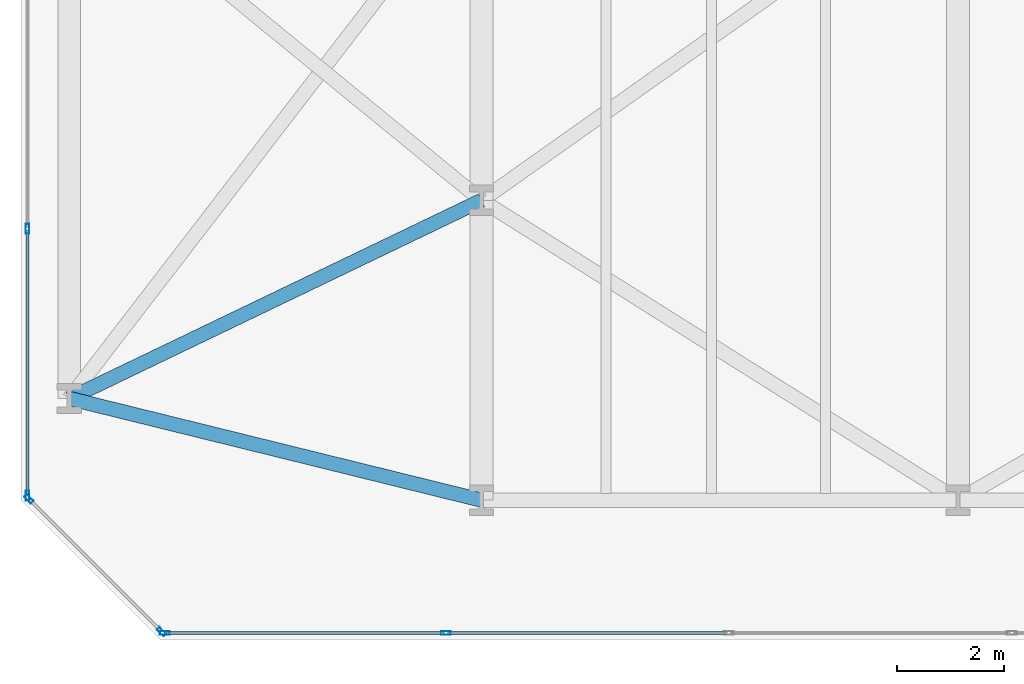
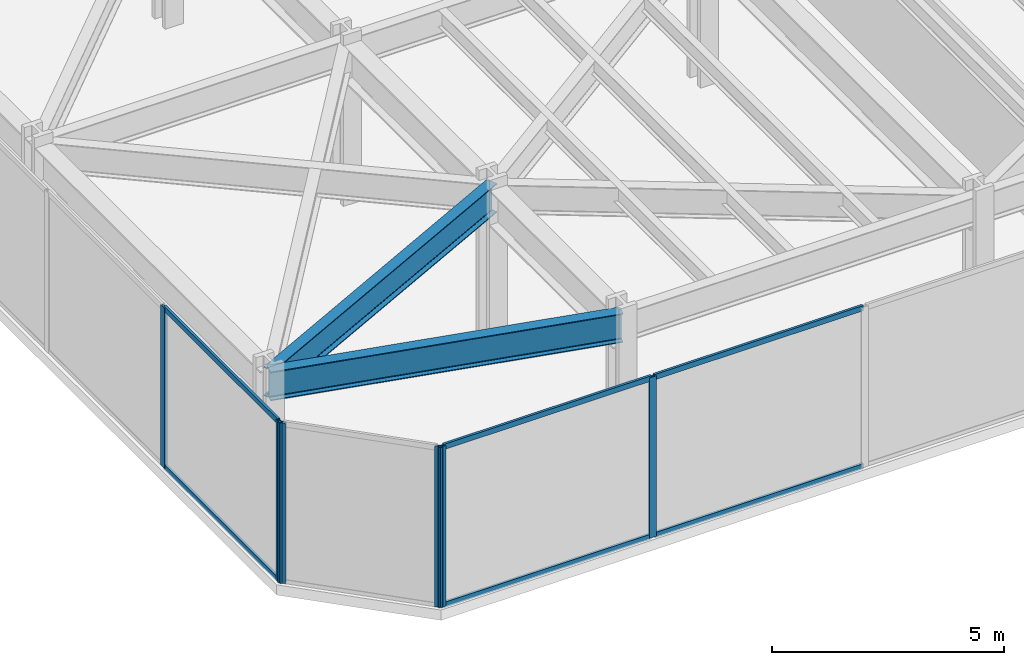
# One storey, part 2 of 28: 12 members, 2 beams, 3 elements without a shape of their own.
"""IFC4 building model written with IfcOpenShell, lengths in metres."""

from ifc_helpers import new_model, si_unit, direction, frame, origin, origin_2d, place, context, subcontext, project, spatial, hollow_rectangle, i_section, extrude, material, layer, layer_set, material_profile, profile_set, type_object, element, aggregate, save


model = new_model("IFC4")

# Units and contexts
model_context = context("Model", 3, precision=1e-05, world=origin(), true_north=direction((0.0, 1.0)))
body_context = subcontext(model_context, "Body", "Model", "MODEL_VIEW")
ifc_project = project(units=[si_unit("LENGTHUNIT", "METRE"), si_unit("AREAUNIT", "SQUARE_METRE"), si_unit("VOLUMEUNIT", "CUBIC_METRE"), si_unit("PLANEANGLEUNIT", "RADIAN"), si_unit("MASSUNIT", "GRAM", prefix="KILO")], contexts=[model_context])

# Site, building, storey
site_placement = place(None, origin())
site = spatial("IfcSite", under=ifc_project, at=site_placement, CompositionType="ELEMENT")
building_placement = place(site_placement, origin())
building = spatial("IfcBuilding", under=site, at=building_placement, Name="Kravanh Interchange Tower", CompositionType="ELEMENT")
storey_placement = place(building_placement, frame((0.0, 0.0, 15.300048828125)))
storey = spatial("IfcBuildingStorey", under=building, at=storey_placement, Name="L03", CompositionType="ELEMENT", Elevation=15.300048828125)

# Curtain wall, members
ifc_material_1 = material(Name="Anodised Bronze Aluminium", Category="aluminium")
ifc_layer = layer(ifc_material_1, 0.179931640625)
ifc_layer_set = layer_set([ifc_layer], Name="Unitised Curtain Wall System CW-POD Podium Concourse")
curtain_wall_type = type_object("IfcCurtainWallType", Name="Unitised Curtain Wall System CW-POD Podium Concourse", PredefinedType="NOTDEFINED", material=ifc_layer_set)
curtain_wall_1_placement = place(storey_placement, origin())
curtain_wall_1 = element("IfcCurtainWall", 1, at=curtain_wall_1_placement, inside=storey, type_object=curtain_wall_type, Name="L03 Unitised Curtain Wall CW-L03-01", PredefinedType="NOTDEFINED")
ifc_material_2 = material(Name="Anodised Bronze Aluminium", Category="aluminium")
ifc_material_profile_1 = material_profile(ifc_material_2, hollow_rectangle(XDim=0.070068359375, YDim=0.179931640625, WallThickness=0.00390625, at=origin_2d()), Name="ALU70X180X4")
ifc_profile_set_1 = profile_set([ifc_material_profile_1], Name="Anodised Bronze Aluminium")
member_type_1 = type_object("IfcMemberType", Name="Curtain Wall Mullion ALU70X180X4 Bronze", PredefinedType="MULLION", material=ifc_profile_set_1)
member_1_placement = place(storey_placement, frame((0.1201171875, 2.684814453125, 0.0), z_axis=(0.0, 0.0, 1.0), x_axis=(-1.0, 0.0, 0.0)))
member_1 = element("IfcMember", 2, at=member_1_placement, type_object=member_type_1, Name="CW-POD mullion 1", PredefinedType="MULLION", context=body_context, shape_type="SweptSolid", body=[
    extrude(hollow_rectangle(XDim=0.070068359375, YDim=0.179931640625, WallThickness=0.00390625, at=origin_2d()), origin(), (0.0, 0.0, 1.0), 4.22998046875),
])
member_2_placement = place(storey_placement, frame((0.1201171875, 7.671142578125, 0.0), z_axis=(0.0, 0.0, 1.0), x_axis=(-1.0, 0.0, 0.0)))
member_2 = element("IfcMember", 3, at=member_2_placement, type_object=member_type_1, Name="CW-POD mullion 2", PredefinedType="MULLION", context=body_context, shape_type="SweptSolid", body=[
    extrude(hollow_rectangle(XDim=0.070068359375, YDim=0.179931640625, WallThickness=0.00390625, at=origin_2d()), origin(), (0.0, 0.0, 1.0), 4.22998046875),
])

curtain_wall_2_placement = place(storey_placement, origin())
curtain_wall_2 = element("IfcCurtainWall", 4, at=curtain_wall_2_placement, inside=storey, type_object=curtain_wall_type, Name="L03 Unitised Curtain Wall CW-L03-04", PredefinedType="NOTDEFINED")
member_3_placement = place(storey_placement, frame((7.934326171875, 0.1201171875, 0.0), z_axis=(0.0, 0.0, 1.0), x_axis=(0.0, -1.0, 0.0)))
member_3 = element("IfcMember", 5, at=member_3_placement, type_object=member_type_1, Name="CW-POD mullion 13", PredefinedType="MULLION", context=body_context, shape_type="SweptSolid", body=[
    extrude(hollow_rectangle(XDim=0.070068359375, YDim=0.179931640625, WallThickness=0.00390625, at=origin_2d()), origin(), (0.0, 0.0, 1.0), 4.22998046875),
])
member_4_placement = place(storey_placement, frame((2.684814453125, 0.1201171875, 0.0), z_axis=(0.0, 0.0, 1.0), x_axis=(0.0, -1.0, 0.0)))
member_4 = element("IfcMember", 6, at=member_4_placement, type_object=member_type_1, Name="CW-POD mullion 14", PredefinedType="MULLION", context=body_context, shape_type="SweptSolid", body=[
    extrude(hollow_rectangle(XDim=0.070068359375, YDim=0.179931640625, WallThickness=0.00390625, at=origin_2d()), origin(), (0.0, 0.0, 1.0), 4.22998046875),
])

curtain_wall_3_placement = place(storey_placement, origin())
curtain_wall_3 = element("IfcCurtainWall", 7, at=curtain_wall_3_placement, inside=storey, type_object=curtain_wall_type, Name="L03 Unitised Curtain Wall CW-L03-05", PredefinedType="NOTDEFINED")
member_5_placement = place(storey_placement, frame((2.625, 0.144775390625, 0.0), z_axis=(0.0, 0.0, 1.0), x_axis=(-0.707106781187, -0.707106781187, 0.0)))
member_5 = element("IfcMember", 8, at=member_5_placement, type_object=member_type_1, Name="CW-POD mullion 1", PredefinedType="MULLION", context=body_context, shape_type="SweptSolid", body=[
    extrude(hollow_rectangle(XDim=0.070068359375, YDim=0.179931640625, WallThickness=0.00390625, at=origin_2d()), origin(), (0.0, 0.0, 1.0), 4.22998046875),
])
member_6_placement = place(storey_placement, frame((0.144775390625, 2.625, 0.0), z_axis=(0.0, 0.0, 1.0), x_axis=(-0.707106781187, -0.707106781187, 0.0)))
member_6 = element("IfcMember", 9, at=member_6_placement, type_object=member_type_1, Name="CW-POD mullion 2", PredefinedType="MULLION", context=body_context, shape_type="SweptSolid", body=[
    extrude(hollow_rectangle(XDim=0.070068359375, YDim=0.179931640625, WallThickness=0.00390625, at=origin_2d()), origin(), (0.0, 0.0, 1.0), 4.22998046875),
])
aggregate(curtain_wall_3, [member_5, member_6])

# Member
ifc_material_3 = material(Name="Anodised Bronze Aluminium", Category="aluminium")
ifc_material_profile_2 = material_profile(ifc_material_3, hollow_rectangle(XDim=0.06005859375, YDim=0.139892578125, WallThickness=0.00390625, at=origin_2d()), Name="ALU60X140X4")
ifc_profile_set_2 = profile_set([ifc_material_profile_2], Name="Anodised Bronze Aluminium")
member_type_2 = type_object("IfcMemberType", Name="Curtain Wall Transom ALU60X140X4 Bronze", PredefinedType="USERDEFINED", material=ifc_profile_set_2)
member_7_placement = place(storey_placement, frame((0.1201171875, 2.7197265625, 0.030029296875), z_axis=(0.0, 1.0, 0.0), x_axis=(-1.0, 0.0, 0.0)))
member_7 = element("IfcMember", 10, at=member_7_placement, type_object=member_type_2, Name="CW-POD transom 1.1", ObjectType="TRANSOM", PredefinedType="USERDEFINED", context=body_context, shape_type="SweptSolid", body=[
    extrude(hollow_rectangle(XDim=0.06005859375, YDim=0.139892578125, WallThickness=0.00390625, at=origin_2d()), origin(), (0.0, 0.0, 1.0), 4.91650390625),
])

member_8_placement = place(storey_placement, frame((0.1201171875, 2.7197265625, 4.199951171875), z_axis=(0.0, 1.0, 0.0), x_axis=(-1.0, 0.0, 0.0)))
member_8 = element("IfcMember", 11, at=member_8_placement, type_object=member_type_2, Name="CW-POD transom 1.2", ObjectType="TRANSOM", PredefinedType="USERDEFINED", context=body_context, shape_type="SweptSolid", body=[
    extrude(hollow_rectangle(XDim=0.06005859375, YDim=0.139892578125, WallThickness=0.00390625, at=origin_2d()), origin(), (0.0, 0.0, 1.0), 4.91650390625),
])

aggregate(curtain_wall_1, [member_1, member_2, member_7, member_8])

member_9_placement = place(storey_placement, frame((13.18408203125, 0.1201171875, 0.030029296875), z_axis=(-1.0, 0.0, 0.0), x_axis=(0.0, -1.0, 0.0)))
member_9 = element("IfcMember", 12, at=member_9_placement, type_object=member_type_2, Name="CW-POD transom 12.1", ObjectType="TRANSOM", PredefinedType="USERDEFINED", context=body_context, shape_type="SweptSolid", body=[
    extrude(hollow_rectangle(XDim=0.06005859375, YDim=0.139892578125, WallThickness=0.00390625, at=origin_2d()), origin(), (0.0, 0.0, 1.0), 5.214599609375),
])

member_10_placement = place(storey_placement, frame((13.18408203125, 0.1201171875, 4.199951171875), z_axis=(-1.0, 0.0, 0.0), x_axis=(0.0, -1.0, 0.0)))
member_10 = element("IfcMember", 13, at=member_10_placement, type_object=member_type_2, Name="CW-POD transom 12.2", ObjectType="TRANSOM", PredefinedType="USERDEFINED", context=body_context, shape_type="SweptSolid", body=[
    extrude(hollow_rectangle(XDim=0.06005859375, YDim=0.139892578125, WallThickness=0.00390625, at=origin_2d()), origin(), (0.0, 0.0, 1.0), 5.214599609375),
])

member_11_placement = place(storey_placement, frame((7.8994140625, 0.1201171875, 0.030029296875), z_axis=(-1.0, 0.0, 0.0), x_axis=(0.0, -1.0, 0.0)))
member_11 = element("IfcMember", 14, at=member_11_placement, type_object=member_type_2, Name="CW-POD transom 13.1", ObjectType="TRANSOM", PredefinedType="USERDEFINED", context=body_context, shape_type="SweptSolid", body=[
    extrude(hollow_rectangle(XDim=0.06005859375, YDim=0.139892578125, WallThickness=0.00390625, at=origin_2d()), origin(), (0.0, 0.0, 1.0), 5.1796875),
])

member_12_placement = place(storey_placement, frame((7.8994140625, 0.1201171875, 4.199951171875), z_axis=(-1.0, 0.0, 0.0), x_axis=(0.0, -1.0, 0.0)))
member_12 = element("IfcMember", 15, at=member_12_placement, type_object=member_type_2, Name="CW-POD transom 13.2", ObjectType="TRANSOM", PredefinedType="USERDEFINED", context=body_context, shape_type="SweptSolid", body=[
    extrude(hollow_rectangle(XDim=0.06005859375, YDim=0.139892578125, WallThickness=0.00390625, at=origin_2d()), origin(), (0.0, 0.0, 1.0), 5.1796875),
])

aggregate(curtain_wall_2, [member_3, member_4, member_9, member_10, member_11, member_12])

# Beams
ifc_material_4 = material(Name="Structural Steel S355", Category="steel")
ifc_material_profile_3 = material_profile(ifc_material_4, i_section(OverallWidth=0.26708984375, OverallDepth=0.761962890625, WebThickness=0.014404296875, FlangeThickness=0.021484375, FilletRadius=0.02490234375, at=origin_2d()), Name="W30X116")
ifc_profile_set_3 = profile_set([ifc_material_profile_3], Name="Structural Steel S355")
beam_type = type_object("IfcBeamType", Name="Floor Spandrel W30X116 Structural Steel S355", PredefinedType="SPANDREL", material=ifc_profile_set_3)
beam_1_placement = place(storey_placement, frame((8.60009765625, 2.60009765625, 3.848876953125), z_axis=(-0.970883936595, 0.239550373956, 0.0), x_axis=(-0.239550373956, -0.970883936595, 0.0)))
element("IfcBeam", 16, at=beam_1_placement, inside=storey, type_object=beam_type, Name="L03 Perimeter Spandrel 2", PredefinedType="SPANDREL", context=body_context, shape_type="SweptSolid", body=[
    extrude(i_section(OverallWidth=0.26708984375, OverallDepth=0.761962890625, WebThickness=0.014404296875, FlangeThickness=0.021484375, FilletRadius=0.02490234375, at=origin_2d()), origin(), (0.0, 0.0, 1.0), 7.93115234375),
])
beam_2_placement = place(storey_placement, frame((8.60009765625, 8.199951171875, 3.848876953125), z_axis=(-0.901346832937, -0.433098010563, 0.0), x_axis=(0.433098010563, -0.901346832937, 0.0)))
element("IfcBeam", 17, at=beam_2_placement, inside=storey, type_object=beam_type, Name="L03 Perimeter Spandrel 24", PredefinedType="SPANDREL", context=body_context, shape_type="SweptSolid", body=[
    extrude(i_section(OverallWidth=0.26708984375, OverallDepth=0.761962890625, WebThickness=0.014404296875, FlangeThickness=0.021484375, FilletRadius=0.02490234375, at=origin_2d()), origin(), (0.0, 0.0, 1.0), 8.54296875),
])

save(model, "model.ifc")
